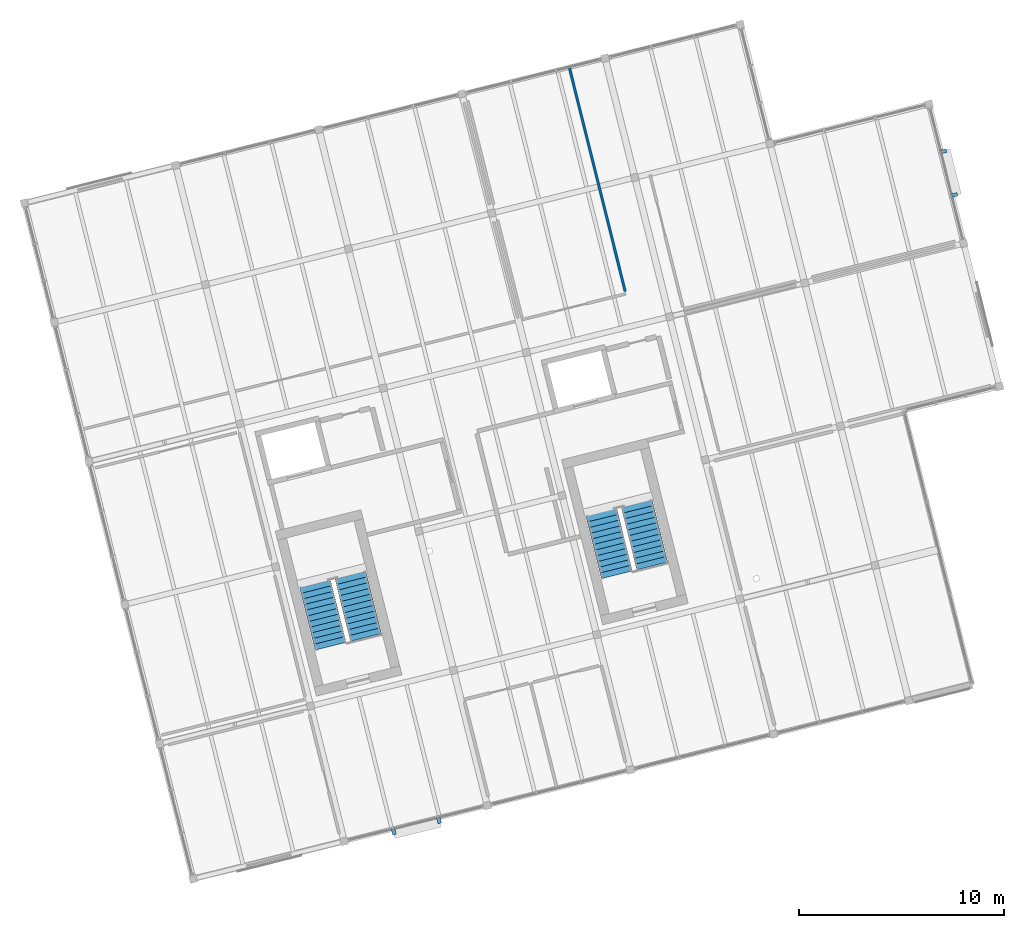
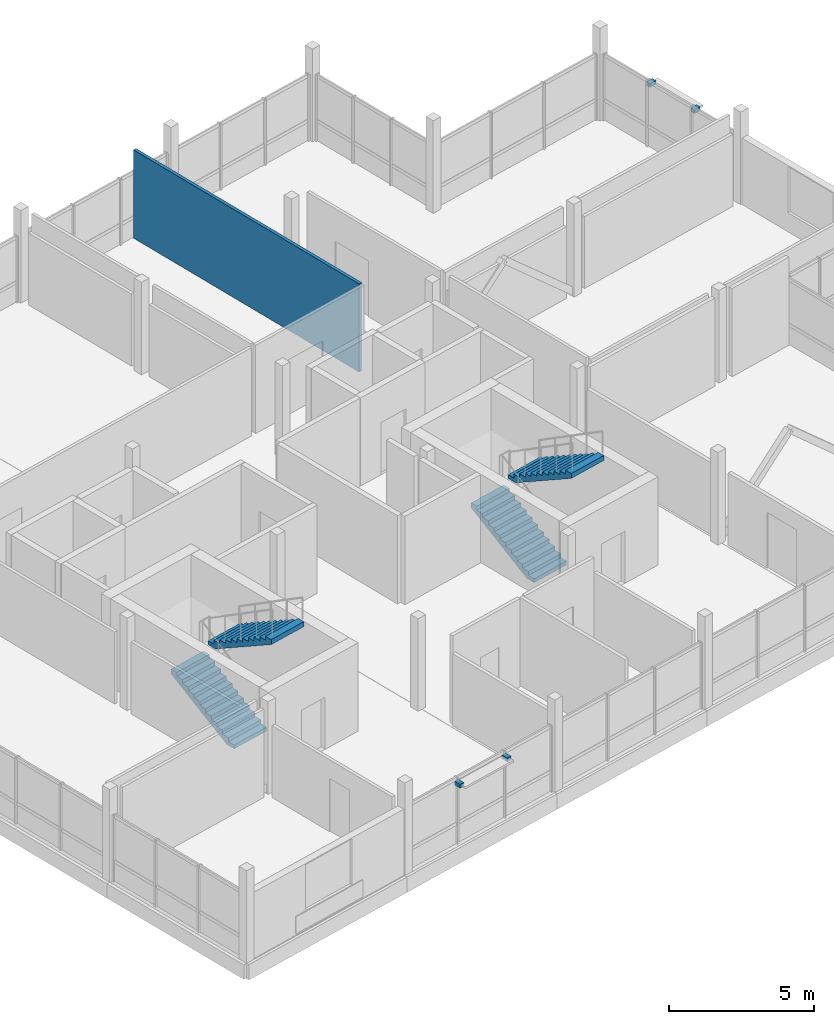
# One storey, part 27 of 28: 4 discrete accessories, 4 stair flights, 1 wall, 2 elements without a shape of their own.
"""IFC4 building model written with IfcOpenShell, lengths in metres."""

from ifc_helpers import new_model, si_unit, direction, frame, frame_2d, origin, origin_2d, place, context, subcontext, project, spatial, polyline, rectangle, outline, extrude, material, layer, layer_set, type_object, element, aggregate, save


model = new_model("IFC4")

# Units and contexts
model_context = context("Model", 3, precision=1e-05, world=origin(), true_north=direction((0.0, 1.0)))
body_context = subcontext(model_context, "Body", "Model", "MODEL_VIEW")
ifc_project = project(units=[si_unit("LENGTHUNIT", "METRE"), si_unit("AREAUNIT", "SQUARE_METRE"), si_unit("VOLUMEUNIT", "CUBIC_METRE"), si_unit("PLANEANGLEUNIT", "RADIAN"), si_unit("MASSUNIT", "GRAM", prefix="KILO")], contexts=[model_context])

# Site, building, storey
site_placement = place(None, origin())
site = spatial("IfcSite", under=ifc_project, at=site_placement, CompositionType="ELEMENT")
building_placement = place(site_placement, origin())
building = spatial("IfcBuilding", under=site, at=building_placement, Name="Meriwether Solvik Hall", CompositionType="ELEMENT")
storey_placement = place(building_placement, frame((0.0, 0.0, 37.800048828125)))
storey = spatial("IfcBuildingStorey", under=building, at=storey_placement, Name="L09", CompositionType="ELEMENT", Elevation=37.800048828125)

# Wall
ifc_material_1 = material(Name="Gypsum Board Partition", Category="gypsum")
ifc_layer = layer(ifc_material_1, 0.125)
ifc_layer_set = layer_set([ifc_layer], Name="Gypsum Board Partition")
wall_type = type_object("IfcWallType", Name="WALL-PART-125", PredefinedType="PARTITIONING", material=ifc_layer_set)
wall_placement = place(storey_placement, frame((89.689697265625, 69.873779296875, 0.0), z_axis=(0.0, 0.0, 1.0), x_axis=(-0.241921192876, 0.970295901485, 0.0)))
element("IfcWall", 1, at=wall_placement, inside=storey, type_object=wall_type, Name="L09 Interior Partition wk_nc_e", PredefinedType="PARTITIONING", context=body_context, shape_type="SweptSolid", body=[
    extrude(rectangle(XDim=11.219970703125, YDim=0.125, at=frame_2d((5.60986328125, 0.0))), origin(), (0.0, 0.0, 1.0), 3.719970703125),
])

# Stair, stair flights
ifc_material_2 = material(Name="Concrete C40/50", Category="concrete")
stair_type = type_object("IfcStairType", Name="STR-CORE-DOGLEG-A", PredefinedType="TWO_STRAIGHT_RUN_STAIR", material=ifc_material_2)
stair_1_placement = place(storey_placement, origin())
stair_1 = element("IfcStair", 2, at=stair_1_placement, inside=storey, type_object=stair_type, Name="Exit Stair ST-01 (L09)", PredefinedType="TWO_STRAIGHT_RUN_STAIR")
ifc_material_3 = material(Name="Concrete C40/50", Category="concrete")
stair_flight_type = type_object("IfcStairFlightType", Name="SFL-RC-156", PredefinedType="STRAIGHT", material=ifc_material_3)
stair_flight_1_placement = place(storey_placement, frame((75.310791015625, 52.56103515625, 0.0), z_axis=(0.0, 0.0, 1.0), x_axis=(-0.2419218956, 0.970295726276, 0.0)))
stair_flight_1 = element("IfcStairFlight", 3, at=stair_flight_1_placement, type_object=stair_flight_type, Name="Stair ST-01 Lower Flight (L09)", NumberOfRisers=12, NumberOfTreads=11, PredefinedType="STRAIGHT", RiserHeight=0.1625, TreadLength=0.285, context=body_context, shape_type="SweptSolid", body=[
    extrude(outline(polyline([(0.0, 0.0), (0.0, 0.16259765625), (0.284912109375, 0.16259765625), (0.284912109375, 0.324951171875), (0.570068359375, 0.324951171875), (0.570068359375, 0.487548828125), (0.85498046875, 0.487548828125), (0.85498046875, 0.64990234375), (1.139892578125, 0.64990234375), (1.139892578125, 0.8125), (1.425048828125, 0.8125), (1.425048828125, 0.97509765625), (1.7099609375, 0.97509765625), (1.7099609375, 1.137451171875), (1.9951171875, 1.137451171875), (1.9951171875, 1.300048828125), (2.280029296875, 1.300048828125), (2.280029296875, 1.46240234375), (2.56494140625, 1.46240234375), (2.56494140625, 1.625), (2.85009765625, 1.625), (2.85009765625, 1.78759765625), (3.135009765625, 1.78759765625), (3.135009765625, 1.949951171875), (3.135009765625, 1.580322265625), (0.36328125, 0.0), (0.0, 0.0)])), frame((0.0, 0.780029296875, 0.0), z_axis=(0.0, -1.0, 0.0), x_axis=(1.0, 0.0, 0.0)), (0.0, 0.0, 1.0), 1.56005859375),
])
stair_flight_2_placement = place(storey_placement, frame((76.279541015625, 56.033447265625, 1.949951171875), z_axis=(0.0, 0.0, 1.0), x_axis=(0.2419218956, -0.970295726276, 0.0)))
stair_flight_2 = element("IfcStairFlight", 4, at=stair_flight_2_placement, type_object=stair_flight_type, Name="Stair ST-01 Upper Flight (L09)", NumberOfRisers=12, NumberOfTreads=11, PredefinedType="STRAIGHT", RiserHeight=0.1625, TreadLength=0.285, context=body_context, shape_type="SweptSolid", body=[
    extrude(outline(polyline([(0.0, 0.0), (0.0, 0.16259765625), (0.284912109375, 0.16259765625), (0.284912109375, 0.324951171875), (0.570068359375, 0.324951171875), (0.570068359375, 0.487548828125), (0.85498046875, 0.487548828125), (0.85498046875, 0.64990234375), (1.139892578125, 0.64990234375), (1.139892578125, 0.8125), (1.425048828125, 0.8125), (1.425048828125, 0.97509765625), (1.7099609375, 0.97509765625), (1.7099609375, 1.137451171875), (1.9951171875, 1.137451171875), (1.9951171875, 1.300048828125), (2.280029296875, 1.300048828125), (2.280029296875, 1.46240234375), (2.56494140625, 1.46240234375), (2.56494140625, 1.625), (2.85009765625, 1.625), (2.85009765625, 1.78759765625), (3.135009765625, 1.78759765625), (3.135009765625, 1.949951171875), (3.135009765625, 1.580322265625), (0.36328125, 0.0), (0.0, 0.0)])), frame((0.0, 0.780029296875, 0.0), z_axis=(0.0, -1.0, 0.0), x_axis=(1.0, 0.0, 0.0)), (0.0, 0.0, 1.0), 1.56005859375),
])
aggregate(stair_1, [stair_flight_1, stair_flight_2])

stair_2_placement = place(storey_placement, origin())
stair_2 = element("IfcStair", 5, at=stair_2_placement, inside=storey, type_object=stair_type, Name="Exit Stair ST-02 (L09)", PredefinedType="TWO_STRAIGHT_RUN_STAIR")
stair_flight_3_placement = place(storey_placement, frame((89.283203125, 56.044677734375, 0.0), z_axis=(0.0, 0.0, 1.0), x_axis=(-0.2419218956, 0.970295726276, 0.0)))
stair_flight_3 = element("IfcStairFlight", 6, at=stair_flight_3_placement, type_object=stair_flight_type, Name="Stair ST-02 Lower Flight (L09)", NumberOfRisers=12, NumberOfTreads=11, PredefinedType="STRAIGHT", RiserHeight=0.1625, TreadLength=0.285, context=body_context, shape_type="SweptSolid", body=[
    extrude(outline(polyline([(0.0, 0.0), (0.0, 0.16259765625), (0.284912109375, 0.16259765625), (0.284912109375, 0.324951171875), (0.570068359375, 0.324951171875), (0.570068359375, 0.487548828125), (0.85498046875, 0.487548828125), (0.85498046875, 0.64990234375), (1.139892578125, 0.64990234375), (1.139892578125, 0.8125), (1.425048828125, 0.8125), (1.425048828125, 0.97509765625), (1.7099609375, 0.97509765625), (1.7099609375, 1.137451171875), (1.9951171875, 1.137451171875), (1.9951171875, 1.300048828125), (2.280029296875, 1.300048828125), (2.280029296875, 1.46240234375), (2.56494140625, 1.46240234375), (2.56494140625, 1.625), (2.85009765625, 1.625), (2.85009765625, 1.78759765625), (3.135009765625, 1.78759765625), (3.135009765625, 1.949951171875), (3.135009765625, 1.580322265625), (0.36328125, 0.0), (0.0, 0.0)])), frame((0.0, 0.780029296875, 0.0), z_axis=(0.0, -1.0, 0.0), x_axis=(1.0, 0.0, 0.0)), (0.0, 0.0, 1.0), 1.56005859375),
])
stair_flight_4_placement = place(storey_placement, frame((90.251953125, 59.51708984375, 1.949951171875), z_axis=(0.0, 0.0, 1.0), x_axis=(0.2419218956, -0.970295726276, 0.0)))
stair_flight_4 = element("IfcStairFlight", 7, at=stair_flight_4_placement, type_object=stair_flight_type, Name="Stair ST-02 Upper Flight (L09)", NumberOfRisers=12, NumberOfTreads=11, PredefinedType="STRAIGHT", RiserHeight=0.1625, TreadLength=0.285, context=body_context, shape_type="SweptSolid", body=[
    extrude(outline(polyline([(0.0, 0.0), (0.0, 0.16259765625), (0.284912109375, 0.16259765625), (0.284912109375, 0.324951171875), (0.570068359375, 0.324951171875), (0.570068359375, 0.487548828125), (0.85498046875, 0.487548828125), (0.85498046875, 0.64990234375), (1.139892578125, 0.64990234375), (1.139892578125, 0.8125), (1.425048828125, 0.8125), (1.425048828125, 0.97509765625), (1.7099609375, 0.97509765625), (1.7099609375, 1.137451171875), (1.9951171875, 1.137451171875), (1.9951171875, 1.300048828125), (2.280029296875, 1.300048828125), (2.280029296875, 1.46240234375), (2.56494140625, 1.46240234375), (2.56494140625, 1.625), (2.85009765625, 1.625), (2.85009765625, 1.78759765625), (3.135009765625, 1.78759765625), (3.135009765625, 1.949951171875), (3.135009765625, 1.580322265625), (0.36328125, 0.0), (0.0, 0.0)])), frame((0.0, 0.780029296875, 0.0), z_axis=(0.0, -1.0, 0.0), x_axis=(1.0, 0.0, 0.0)), (0.0, 0.0, 1.0), 1.56005859375),
])
aggregate(stair_2, [stair_flight_3, stair_flight_4])

# Discrete accessories
ifc_material_4 = material(Name="Steel A36 Galvanised", Category="steel")
discrete_accessory_type = type_object("IfcDiscreteAccessoryType", Name="ACC-BRK-STL", PredefinedType="BRACKET", material=ifc_material_4)
for number, where, z_axis, x_axis, name in (
    (8, (80.6025390625, 44.04833984375, 2.490234375), (0.0, 0.0, 1.0), (-0.970295725693, -0.241921897937, 0.0), "Sunshade Outrigger Bracket E0_B1-1"),
    (9, (78.399658203125, 43.4990234375, 2.490234375), (0.0, 0.0, 1.0), (-0.970295725693, -0.241921897937, 0.0), "Sunshade Outrigger Bracket E0_B1-2"),
    (10, (105.235107421875, 76.7197265625, 2.490234375), (0.0, 0.0, 1.0), (0.241921804422, -0.970295749009, 0.0), "Sunshade Outrigger Bracket E3_B1-1"),
    (11, (105.768310546875, 74.58154296875, 2.490234375), (0.0, 0.0, 1.0), (0.241921804422, -0.970295749009, 0.0), "Sunshade Outrigger Bracket E3_B1-2"),
):
    element("IfcDiscreteAccessory", number, at=place(storey_placement, frame(where, z_axis=z_axis, x_axis=x_axis)), inside=storey, type_object=discrete_accessory_type, Name=name, PredefinedType="BRACKET", context=body_context, shape_type="SweptSolid", body=[
        extrude(rectangle(XDim=0.179931640625, YDim=0.280029296875, at=origin_2d()), origin(), (0.0, 0.0, 1.0), 0.159912109375),
    ])

save(model, "model.ifc")
